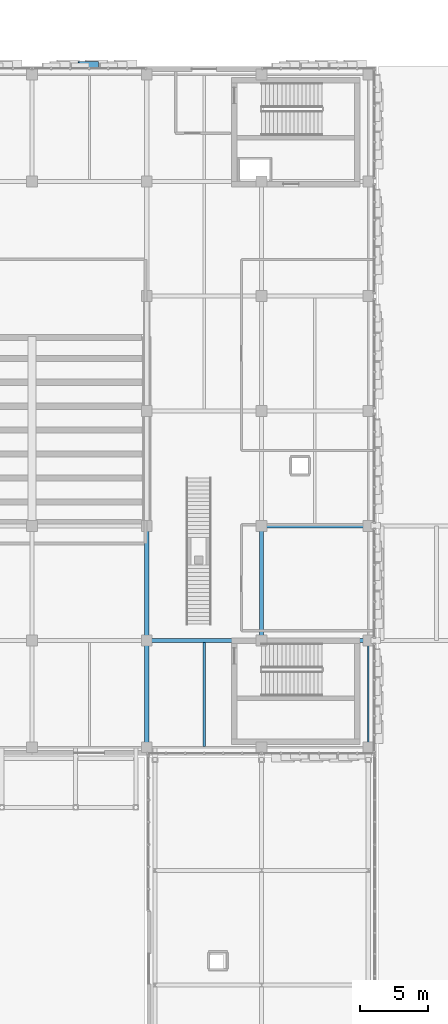
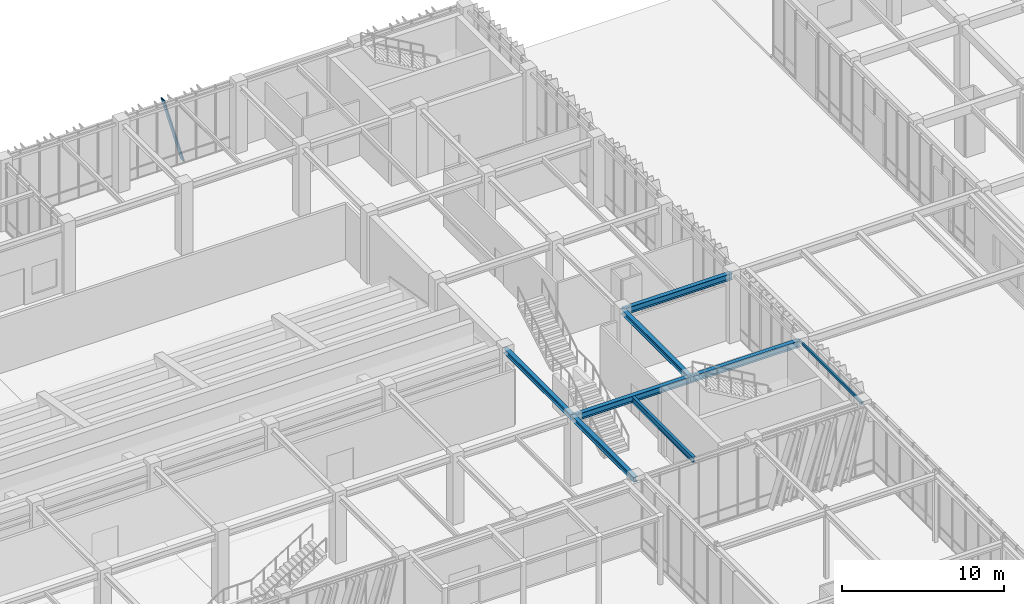
# One storey, part 50 of 122: 8 beams, 1 member, 1 element without a shape of its own.
"""IFC4 building model written with IfcOpenShell, lengths in metres."""

from ifc_helpers import new_model, si_unit, direction, frame, origin, origin_2d, place, context, subcontext, project, spatial, hollow_rectangle, i_section, extrude, material, layer, layer_set, material_profile, profile_set, type_object, element, aggregate, save


model = new_model("IFC4")

# Units and contexts
model_context = context("Model", 3, precision=1e-05, world=origin(), true_north=direction((0.0, 1.0)))
body_context = subcontext(model_context, "Body", "Model", "MODEL_VIEW")
ifc_project = project(units=[si_unit("LENGTHUNIT", "METRE"), si_unit("AREAUNIT", "SQUARE_METRE"), si_unit("VOLUMEUNIT", "CUBIC_METRE"), si_unit("PLANEANGLEUNIT", "RADIAN"), si_unit("MASSUNIT", "GRAM", prefix="KILO")], contexts=[model_context])

# Site, building, storey
site_placement = place(None, origin())
site = spatial("IfcSite", under=ifc_project, at=site_placement, CompositionType="ELEMENT")
building_placement = place(site_placement, origin())
building = spatial("IfcBuilding", under=site, at=building_placement, Name="Zayran Congress Hotel", CompositionType="ELEMENT")
storey_placement = place(building_placement, origin())
storey = spatial("IfcBuildingStorey", under=building, at=storey_placement, Name="L00", CompositionType="ELEMENT", Elevation=0.0)

# Beams
ifc_material_1 = material(Name="Steel S355", Category="steel")
ifc_material_profile_1 = material_profile(ifc_material_1, i_section(OverallWidth=0.300048828125, OverallDepth=0.489990234375, WebThickness=0.011962890625, FlangeThickness=0.02294921875, at=origin_2d()), Name="HEA 500")
ifc_profile_set_1 = profile_set([ifc_material_profile_1], Name="Steel S355")
beam_type_1 = type_object("IfcBeamType", Name="TP-BM-05", PredefinedType="BEAM", material=ifc_profile_set_1)
beam_1_placement = place(storey_placement, frame((75.60009765625, 76.0, 4.8349609375), z_axis=(1.0, 0.0, 0.0), x_axis=(0.0, 1.0, 0.0)))
element("IfcBeam", 1, at=beam_1_placement, inside=storey, type_object=beam_type_1, Name="BM-V1-L00-0407", PredefinedType="BEAM", context=body_context, shape_type="SweptSolid", body=[
    extrude(i_section(OverallWidth=0.300048828125, OverallDepth=0.489990234375, WebThickness=0.011962890625, FlangeThickness=0.02294921875, at=origin_2d()), origin(), (0.0, 0.0, 1.0), 8.39990234375),
])
for number, where, z_axis, x_axis, name in (
    (2, (84.0, 76.0, 4.8349609375), (1.0, 0.0, 0.0), (0.0, 1.0, 0.0), "BM-V1-L00-0408"),
    (3, (84.0, 84.39990234375, 4.8349609375), (1.0, 0.0, 0.0), (0.0, 1.0, 0.0), "BM-V1-L00-0416"),
):
    element("IfcBeam", number, at=place(storey_placement, frame(where, z_axis=z_axis, x_axis=x_axis)), inside=storey, type_object=beam_type_1, Name=name, PredefinedType="BEAM", context=body_context, shape_type="SweptSolid", body=[
        extrude(i_section(OverallWidth=0.300048828125, OverallDepth=0.489990234375, WebThickness=0.011962890625, FlangeThickness=0.02294921875, at=origin_2d()), origin(), (0.0, 0.0, 1.0), 7.800048828125),
    ])
ifc_material_profile_2 = material_profile(ifc_material_1, i_section(OverallWidth=0.300048828125, OverallDepth=0.389892578125, WebThickness=0.010986328125, FlangeThickness=0.01904296875, at=origin_2d()), Name="HEA 400")
ifc_profile_set_2 = profile_set([ifc_material_profile_2], Name="Steel S355")
beam_type_2 = type_object("IfcBeamType", Name="TP-BM-06", PredefinedType="BEAM", material=ifc_profile_set_2)
beam_2_placement = place(storey_placement, frame((75.60009765625, 68.199951171875, 4.885009765625), z_axis=(0.0, 1.0, 0.0), x_axis=(-1.0, 0.0, 0.0)))
element("IfcBeam", 4, at=beam_2_placement, inside=storey, type_object=beam_type_2, Name="BM-V1-L00-0475", PredefinedType="BEAM", context=body_context, shape_type="SweptSolid", body=[
    extrude(i_section(OverallWidth=0.300048828125, OverallDepth=0.389892578125, WebThickness=0.010986328125, FlangeThickness=0.01904296875, at=origin_2d()), origin(), (0.0, 0.0, 1.0), 7.800048828125),
])
for number, where, z_axis, x_axis, name in (
    (5, (75.60009765625, 76.0, 4.885009765625), (0.0, 1.0, 0.0), (-1.0, 0.0, 0.0), "BM-V1-L00-0476"),
    (6, (84.0, 76.0, 4.885009765625), (0.0, 1.0, 0.0), (-1.0, 0.0, 0.0), "BM-V1-L00-0481"),
):
    element("IfcBeam", number, at=place(storey_placement, frame(where, z_axis=z_axis, x_axis=x_axis)), inside=storey, type_object=beam_type_2, Name=name, PredefinedType="BEAM", context=body_context, shape_type="SweptSolid", body=[
        extrude(i_section(OverallWidth=0.300048828125, OverallDepth=0.389892578125, WebThickness=0.010986328125, FlangeThickness=0.01904296875, at=origin_2d()), origin(), (0.0, 0.0, 1.0), 8.39990234375),
    ])
ifc_material_profile_3 = material_profile(ifc_material_1, i_section(OverallWidth=0.18994140625, OverallDepth=0.449951171875, WebThickness=0.009521484375, FlangeThickness=0.0146484375, at=origin_2d()), Name="IPE 450")
ifc_profile_set_3 = profile_set([ifc_material_profile_3], Name="Steel S355")
beam_type_3 = type_object("IfcBeamType", Name="TP-JS-02", PredefinedType="JOIST", material=ifc_profile_set_3)
beam_3_placement = place(storey_placement, frame((79.800048828125, 68.260009765625, 4.85498046875), z_axis=(0.0, 1.0, 0.0), x_axis=(-1.0, 0.0, 0.0)))
element("IfcBeam", 7, at=beam_3_placement, inside=storey, type_object=beam_type_3, Name="JST-V1-L00-0507", PredefinedType="JOIST", context=body_context, shape_type="SweptSolid", body=[
    extrude(i_section(OverallWidth=0.18994140625, OverallDepth=0.449951171875, WebThickness=0.009521484375, FlangeThickness=0.0146484375, at=origin_2d()), origin(), (0.0, 0.0, 1.0), 7.590087890625),
])
ifc_material_profile_4 = material_profile(ifc_material_1, hollow_rectangle(XDim=0.1201171875, YDim=0.199951171875, WallThickness=0.008056640625, at=origin_2d()), Name="RHS 200x120x8")
ifc_profile_set_4 = profile_set([ifc_material_profile_4], Name="Steel S355")
beam_type_4 = type_object("IfcBeamType", Name="TP-SP-02", PredefinedType="SPANDREL", material=ifc_profile_set_4)
beam_4_placement = place(storey_placement, frame((91.800048828125, 68.199951171875, 4.97998046875), z_axis=(0.0, 1.0, 0.0), x_axis=(-1.0, 0.0, 0.0)))
element("IfcBeam", 8, at=beam_4_placement, inside=storey, type_object=beam_type_4, Name="BM-V1-L00-0485", PredefinedType="SPANDREL", context=body_context, shape_type="SweptSolid", body=[
    extrude(hollow_rectangle(XDim=0.1201171875, YDim=0.199951171875, WallThickness=0.008056640625, at=origin_2d()), origin(), (0.0, 0.0, 1.0), 7.800048828125),
])

# Curtain wall, member
ifc_material_2 = material(Name="Anodised aluminium and low-E insulated glass", Category="aluminium")
ifc_layer = layer(ifc_material_2, 0.179931640625)
ifc_layer_set = layer_set([ifc_layer], Name="Anodised aluminium and low-E insulated glass")
curtain_wall_type = type_object("IfcCurtainWallType", Name="CW-V1N-L00-CW-22-8360-5080", PredefinedType="USERDEFINED", material=ifc_layer_set)
curtain_wall_placement = place(storey_placement, origin())
curtain_wall = element("IfcCurtainWall", 9, at=curtain_wall_placement, inside=storey, type_object=curtain_wall_type, Name="CW-V1N-L00-7", ObjectType="CURTAIN WALL", PredefinedType="USERDEFINED")
ifc_material_3 = material(Name="Warm bronze anodised aluminium", Category="aluminium")
ifc_material_profile_5 = material_profile(ifc_material_3, hollow_rectangle(XDim=0.080078125, YDim=0.449951171875, WallThickness=0.006103515625, at=origin_2d()), Name="RHS 450x80x6")
ifc_profile_set_5 = profile_set([ifc_material_profile_5], Name="Warm bronze anodised aluminium")
member_type = type_object("IfcMemberType", Name="TP-RFN-02", PredefinedType="MULLION", material=ifc_profile_set_5)
member_placement = place(storey_placement, frame((72.030029296875, 118.135009765625, 0.0), z_axis=(-0.267256905477, 0.0, 0.96362531436), x_axis=(0.96362531436, 0.0, 0.267256905477)))
member = element("IfcMember", 10, at=member_placement, type_object=member_type, Name="Slanting Reed Mullion CW-22-05", PredefinedType="MULLION", context=body_context, shape_type="SweptSolid", body=[
    extrude(hollow_rectangle(XDim=0.080078125, YDim=0.449951171875, WallThickness=0.006103515625, at=origin_2d()), origin(), (0.0, 0.0, 1.0), 5.271728515625),
])
aggregate(curtain_wall, [member])

save(model, "model.ifc")
